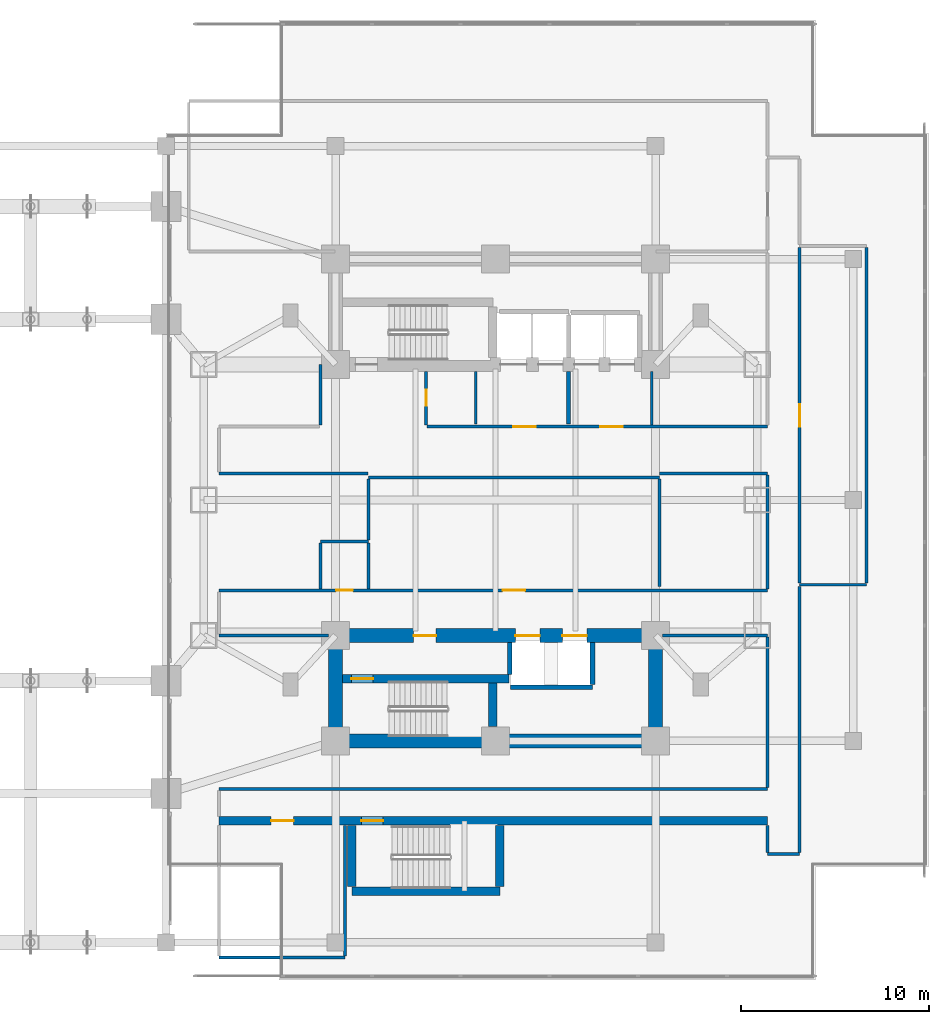
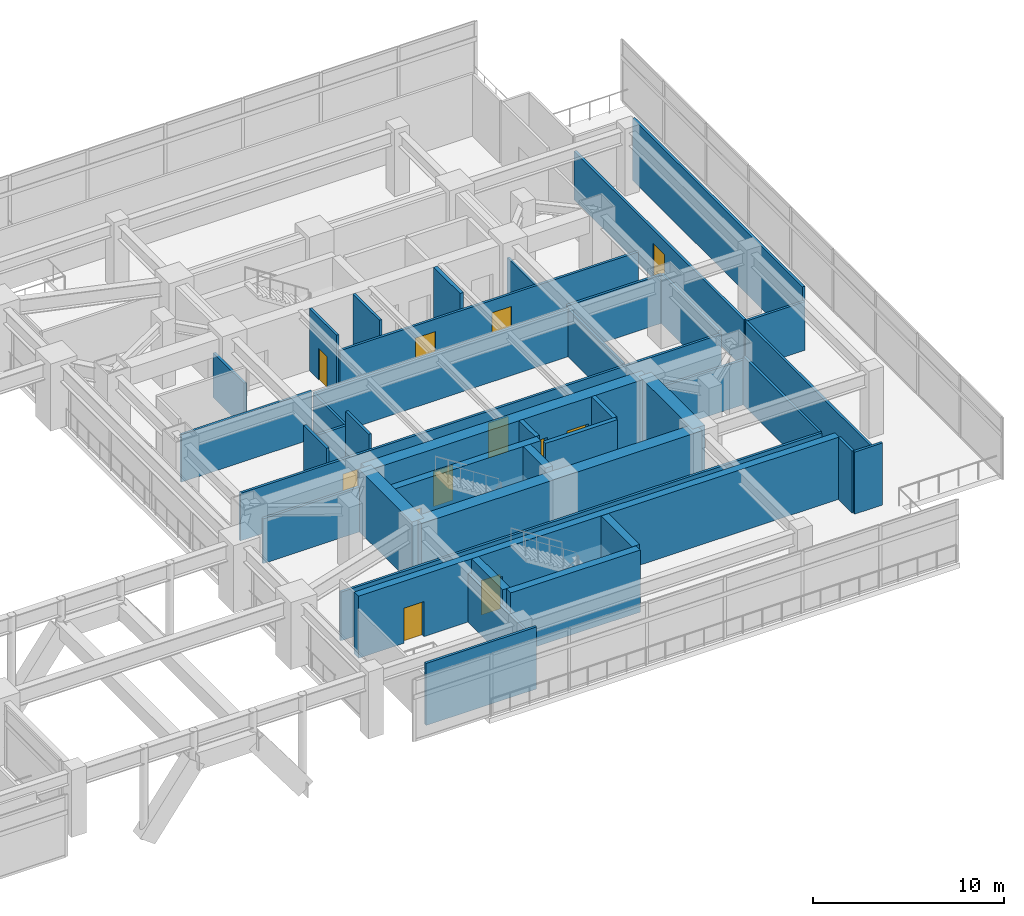
# One storey, part 17 of 30: 41 walls, 12 doors, 12 openings.
"""IFC4 building model written with IfcOpenShell, lengths in metres."""

from ifc_helpers import new_model, si_unit, direction, frame, frame_2d, origin, place, context, subcontext, project, spatial, rectangle, extrude, material, layer, layer_set, type_object, element, fill, save


model = new_model("IFC4")

# Units and contexts
model_context = context("Model", 3, precision=1e-05, world=origin(), true_north=direction((0.0, 1.0)))
body_context = subcontext(model_context, "Body", "Model", "MODEL_VIEW")
ifc_project = project(units=[si_unit("LENGTHUNIT", "METRE"), si_unit("AREAUNIT", "SQUARE_METRE"), si_unit("VOLUMEUNIT", "CUBIC_METRE"), si_unit("PLANEANGLEUNIT", "RADIAN"), si_unit("MASSUNIT", "GRAM", prefix="KILO")], contexts=[model_context])

# Site, building, storey
site_placement = place(None, origin())
site = spatial("IfcSite", under=ifc_project, at=site_placement, CompositionType="ELEMENT")
building_placement = place(site_placement, origin())
building = spatial("IfcBuilding", under=site, at=building_placement, Name="Mirazonda Arch Towers", CompositionType="ELEMENT")
storey_placement = place(building_placement, frame((0.0, 0.0, 9.5)))
storey = spatial("IfcBuildingStorey", under=building, at=storey_placement, Name="L02", CompositionType="ELEMENT", Elevation=9.5)

# Wall
ifc_material_1 = material(Name="Concrete C50/60", Category="concrete")
ifc_layer_1 = layer(ifc_material_1, 0.449951171875, Name="WALL-CORE-450")
ifc_layer_set_1 = layer_set([ifc_layer_1], Name="Concrete C50/60")
wall_type_1 = type_object("IfcWallType", Name="WALL-CORE-450", PredefinedType="SHEAR", material=ifc_layer_set_1)
wall_1_placement = place(storey_placement, frame((68.8701171875, 7.219970703125, 0.0), z_axis=(0.0, 0.0, 1.0), x_axis=(1.0, 0.0, 0.0)))
element("IfcWall", 1, at=wall_1_placement, inside=storey, type_object=wall_type_1, Name="L02 Stair Core Shear Wall 004", PredefinedType="SHEAR", context=body_context, shape_type="SweptSolid", body=[
    extrude(rectangle(XDim=7.85986328125, YDim=0.449951171875, at=frame_2d((3.929931640625, 0.0))), origin(), (0.0, 0.0, 1.0), 3.97998046875),
])

# Wall, openings, doors
wall_2_placement = place(storey_placement, frame((61.800048828125, 10.949951171875, 0.0), z_axis=(0.0, 0.0, 1.0), x_axis=(1.0, 0.0, 0.0)))
wall_2 = element("IfcWall", 2, at=wall_2_placement, inside=storey, type_object=wall_type_1, Name="L02 Stair Core Shear Wall 008", PredefinedType="SHEAR", context=body_context, shape_type="SweptSolid", body=[
    extrude(rectangle(XDim=29.14990234375, YDim=0.449951171875, at=frame_2d((14.574951171875, 0.0))), origin(), (0.0, 0.0, 1.0), 3.97998046875),
])
opening_1_placement = place(wall_2_placement, frame((7.570068359375, 0.0, 0.0)))
opening_1 = element("IfcOpeningElement", 3, at=opening_1_placement, cuts=wall_2, Name="Opening DR-135", PredefinedType="OPENING", context=body_context, shape_type="SweptSolid", body=[
    extrude(rectangle(XDim=1.14990234375, YDim=2.199951171875, at=frame_2d((0.574951171875, 1.10009765625))), frame((0.0, 0.23486328125, 0.0), z_axis=(0.0, -1.0, 0.0), x_axis=(1.0, 0.0, 0.0)), (0.0, 0.0, 1.0), 0.469970703125),
])
opening_2_placement = place(wall_2_placement, frame((2.77001953125, 0.0, 0.0)))
opening_2 = element("IfcOpeningElement", 4, at=opening_2_placement, cuts=wall_2, Name="Opening DR-117", PredefinedType="OPENING", context=body_context, shape_type="SweptSolid", body=[
    extrude(rectangle(XDim=1.199951171875, YDim=2.25, at=frame_2d((0.60009765625, 1.125))), frame((0.0, 0.23486328125, 0.0), z_axis=(0.0, -1.0, 0.0), x_axis=(1.0, 0.0, 0.0)), (0.0, 0.0, 1.0), 0.469970703125),
])
ifc_material_2 = material(Name="Architectural Brushed Steel S355", Category="steel")
door_type_1 = type_object("IfcDoorType", Name="DOOR-FFL-FD90-1200", OperationType="NOTDEFINED", PredefinedType="DOOR", material=ifc_material_2)
door_1_placement = place(opening_2_placement, origin())
door_1 = element("IfcDoor", 5, at=door_1_placement, inside=storey, type_object=door_type_1, Name="L02 L02 South Dining Terrace Room Door", OperationType="SINGLE_SWING_LEFT", OverallHeight=2.25, OverallWidth=1.199951171875, PredefinedType="DOOR", context=body_context, shape_type="SweptSolid", body=[
    extrude(rectangle(XDim=1.199951171875, YDim=2.25, at=frame_2d((0.60009765625, 1.125))), frame((0.0, 0.02490234375, 0.0), z_axis=(0.0, -1.0, 0.0), x_axis=(1.0, 0.0, 0.0)), (0.0, 0.0, 1.0), 0.050048828125),
])
fill(opening_2, door_1)
door_type_2 = type_object("IfcDoorType", Name="DOOR-STAIR-FD90-1150", OperationType="NOTDEFINED", PredefinedType="DOOR", material=ifc_material_2)
door_2_placement = place(opening_1_placement, origin())
door_2 = element("IfcDoor", 6, at=door_2_placement, inside=storey, type_object=door_type_2, Name="L02 Protected Podium Stair East Door", OperationType="SINGLE_SWING_RIGHT", OverallHeight=2.199951171875, OverallWidth=1.14990234375, PredefinedType="DOOR", context=body_context, shape_type="SweptSolid", body=[
    extrude(rectangle(XDim=1.14990234375, YDim=2.199951171875, at=frame_2d((0.574951171875, 1.10009765625))), frame((0.0, 0.02490234375, 0.0), z_axis=(0.0, -1.0, 0.0), x_axis=(1.0, 0.0, 0.0)), (0.0, 0.0, 1.0), 0.050048828125),
])
fill(opening_1, door_2)

# Wall, opening, door
wall_3_placement = place(storey_placement, frame((68.3701171875, 18.5, 0.0), z_axis=(0.0, 0.0, 1.0), x_axis=(1.0, 0.0, 0.0)))
wall_3 = element("IfcWall", 7, at=wall_3_placement, inside=storey, type_object=wall_type_1, Name="L02 Stair Core Shear Wall 019", PredefinedType="SHEAR", context=body_context, shape_type="SweptSolid", body=[
    extrude(rectangle(XDim=8.849853515625, YDim=0.449951171875, at=frame_2d((4.4248046875, 0.0))), origin(), (0.0, 0.0, 1.0), 3.97998046875),
])
opening_3_placement = place(wall_3_placement, frame((0.469970703125, 0.0, 0.0)))
opening_3 = element("IfcOpeningElement", 8, at=opening_3_placement, cuts=wall_3, Name="Opening DR-135", PredefinedType="OPENING", context=body_context, shape_type="SweptSolid", body=[
    extrude(rectangle(XDim=1.14990234375, YDim=2.199951171875, at=frame_2d((0.574951171875, 1.10009765625))), frame((0.0, 0.23486328125, 0.0), z_axis=(0.0, -1.0, 0.0), x_axis=(1.0, 0.0, 0.0)), (0.0, 0.0, 1.0), 0.469970703125),
])
door_3_placement = place(opening_3_placement, origin())
door_3 = element("IfcDoor", 9, at=door_3_placement, inside=storey, type_object=door_type_2, Name="L02 East Protected Stair South Door", OperationType="SINGLE_SWING_LEFT", OverallHeight=2.199951171875, OverallWidth=1.14990234375, PredefinedType="DOOR", context=body_context, shape_type="SweptSolid", body=[
    extrude(rectangle(XDim=1.14990234375, YDim=2.199951171875, at=frame_2d((0.574951171875, 1.10009765625))), frame((0.0, 0.02490234375, 0.0), z_axis=(0.0, -1.0, 0.0), x_axis=(1.0, 0.0, 0.0)), (0.0, 0.0, 1.0), 0.050048828125),
])
fill(opening_3, door_3)

# Walls
wall_4_placement = place(storey_placement, frame((68.8701171875, 7.455078125, 0.0), z_axis=(0.0, 0.0, 1.0), x_axis=(0.0, 1.0, 0.0)))
element("IfcWall", 10, at=wall_4_placement, inside=storey, type_object=wall_type_1, Name="L02 Stair Core Shear Wall 089", PredefinedType="SHEAR", context=body_context, shape_type="SweptSolid", body=[
    extrude(rectangle(XDim=3.260009765625, YDim=0.449951171875, at=frame_2d((1.6298828125, 0.0))), origin(), (0.0, 0.0, 1.0), 3.97998046875),
])
wall_5_placement = place(storey_placement, frame((76.360107421875, 15.965087890625, 0.0), z_axis=(0.0, 0.0, 1.0), x_axis=(0.0, 1.0, 0.0)))
element("IfcWall", 11, at=wall_5_placement, inside=storey, type_object=wall_type_1, Name="L02 Stair Core Shear Wall 094", PredefinedType="SHEAR", context=body_context, shape_type="SweptSolid", body=[
    extrude(rectangle(XDim=2.2998046875, YDim=0.449951171875, at=frame_2d((1.14990234375, 0.0))), origin(), (0.0, 0.0, 1.0), 3.97998046875),
])
wall_6_placement = place(storey_placement, frame((76.72998046875, 7.455078125, 0.0), z_axis=(0.0, 0.0, 1.0), x_axis=(0.0, 1.0, 0.0)))
element("IfcWall", 12, at=wall_6_placement, inside=storey, type_object=wall_type_1, Name="L02 Stair Core Shear Wall 096", PredefinedType="SHEAR", context=body_context, shape_type="SweptSolid", body=[
    extrude(rectangle(XDim=3.260009765625, YDim=0.449951171875, at=frame_2d((1.6298828125, 0.0))), origin(), (0.0, 0.0, 1.0), 3.97998046875),
])
ifc_material_3 = material(Name="Concrete C60/75", Category="concrete")
ifc_layer_2 = layer(ifc_material_3, 0.75, Name="WALL-CORE-750")
ifc_layer_set_2 = layer_set([ifc_layer_2], Name="Concrete C60/75")
wall_type_2 = type_object("IfcWallType", Name="WALL-CORE-750", PredefinedType="SHEAR", material=ifc_layer_set_2)
wall_7_placement = place(storey_placement, frame((68.0, 15.199951171875, 0.0), z_axis=(0.0, 0.0, 1.0), x_axis=(1.0, 0.0, 0.0)))
element("IfcWall", 13, at=wall_7_placement, inside=storey, type_object=wall_type_2, Name="L02 T2S-S Core Shear Wall", PredefinedType="SHEAR", context=body_context, shape_type="SweptSolid", body=[
    extrude(rectangle(XDim=17.0, YDim=0.75, at=frame_2d((8.5, 0.0))), origin(), (0.0, 0.0, 1.0), 3.97998046875),
])
for number, where, z_axis, x_axis, name in (
    (14, (68.0, 15.199951171875, 0.0), (0.0, 0.0, 1.0), (0.0, 1.0, 0.0), "L02 T2S-W Core Shear Wall"),
    (15, (85.0, 15.199951171875, 0.0), (0.0, 0.0, 1.0), (0.0, 1.0, 0.0), "L02 T2S-E Core Shear Wall"),
):
    element("IfcWall", number, at=place(storey_placement, frame(where, z_axis=z_axis, x_axis=x_axis)), inside=storey, type_object=wall_type_2, Name=name, PredefinedType="SHEAR", context=body_context, shape_type="SweptSolid", body=[
        extrude(rectangle(XDim=5.60009765625, YDim=0.75, at=frame_2d((2.800048828125, 0.0))), origin(), (0.0, 0.0, 1.0), 3.97998046875),
    ])

# Wall, openings, doors
wall_8_placement = place(storey_placement, frame((68.0, 20.800048828125, 0.0), z_axis=(0.0, 0.0, 1.0), x_axis=(1.0, 0.0, 0.0)))
wall_8 = element("IfcWall", 16, at=wall_8_placement, inside=storey, type_object=wall_type_2, Name="L02 T2S-N Core Shear Wall", PredefinedType="SHEAR", context=body_context, shape_type="SweptSolid", body=[
    extrude(rectangle(XDim=17.0, YDim=0.75, at=frame_2d((8.5, 0.0))), origin(), (0.0, 0.0, 1.0), 3.97998046875),
])
opening_4_placement = place(wall_8_placement, frame((4.14501953125, 0.0, 0.0)))
opening_4 = element("IfcOpeningElement", 17, at=opening_4_placement, cuts=wall_8, Name="Opening DR-117", PredefinedType="OPENING", context=body_context, shape_type="SweptSolid", body=[
    extrude(rectangle(XDim=1.199951171875, YDim=2.25, at=frame_2d((0.60009765625, 1.125))), frame((0.0, 0.385009765625, 0.0), z_axis=(0.0, -1.0, 0.0), x_axis=(1.0, 0.0, 0.0)), (0.0, 0.0, 1.0), 0.77001953125),
])
opening_5_placement = place(wall_8_placement, frame((9.550048828125, 0.0, 0.0)))
opening_5 = element("IfcOpeningElement", 18, at=opening_5_placement, cuts=wall_8, Name="Opening LD-111", PredefinedType="OPENING", context=body_context, shape_type="SweptSolid", body=[
    extrude(rectangle(XDim=1.300048828125, YDim=2.300048828125, at=frame_2d((0.64990234375, 1.14990234375))), frame((0.0, 0.385009765625, 0.0), z_axis=(0.0, -1.0, 0.0), x_axis=(1.0, 0.0, 0.0)), (0.0, 0.0, 1.0), 0.77001953125),
])
opening_6_placement = place(wall_8_placement, frame((12.050048828125, 0.0, 0.0)))
opening_6 = element("IfcOpeningElement", 19, at=opening_6_placement, cuts=wall_8, Name="Opening LD-111", PredefinedType="OPENING", context=body_context, shape_type="SweptSolid", body=[
    extrude(rectangle(XDim=1.300048828125, YDim=2.300048828125, at=frame_2d((0.64990234375, 1.14990234375))), frame((0.0, 0.385009765625, 0.0), z_axis=(0.0, -1.0, 0.0), x_axis=(1.0, 0.0, 0.0)), (0.0, 0.0, 1.0), 0.77001953125),
])
door_4_placement = place(opening_4_placement, origin())
door_4 = element("IfcDoor", 20, at=door_4_placement, inside=storey, type_object=door_type_1, Name="L02 East South Stair & Lift Lobby Door", OperationType="SINGLE_SWING_RIGHT", OverallHeight=2.25, OverallWidth=1.199951171875, PredefinedType="DOOR", context=body_context, shape_type="SweptSolid", body=[
    extrude(rectangle(XDim=1.199951171875, YDim=2.25, at=frame_2d((0.60009765625, 1.125))), frame((0.0, 0.02490234375, 0.0), z_axis=(0.0, -1.0, 0.0), x_axis=(1.0, 0.0, 0.0)), (0.0, 0.0, 1.0), 0.050048828125),
])
fill(opening_4, door_4)
door_type_3 = type_object("IfcDoorType", Name="DOOR-LIFT-LAND-1300", OperationType="NOTDEFINED", PredefinedType="DOOR", material=ifc_material_2)
door_5_placement = place(opening_5_placement, origin())
door_5 = element("IfcDoor", 21, at=door_5_placement, inside=storey, type_object=door_type_3, Name="L02 Lift Landing Sliding Door PL-T2H1", OperationType="DOUBLE_DOOR_SLIDING", OverallHeight=2.300048828125, OverallWidth=1.300048828125, PredefinedType="DOOR", context=body_context, shape_type="SweptSolid", body=[
    extrude(rectangle(XDim=1.300048828125, YDim=2.300048828125, at=frame_2d((0.64990234375, 1.14990234375))), frame((0.0, 0.02490234375, 0.0), z_axis=(0.0, -1.0, 0.0), x_axis=(1.0, 0.0, 0.0)), (0.0, 0.0, 1.0), 0.050048828125),
])
fill(opening_5, door_5)
door_6_placement = place(opening_6_placement, origin())
door_6 = element("IfcDoor", 22, at=door_6_placement, inside=storey, type_object=door_type_3, Name="L02 Lift Landing Sliding Door PL-T2H2", OperationType="DOUBLE_DOOR_SLIDING", OverallHeight=2.300048828125, OverallWidth=1.300048828125, PredefinedType="DOOR", context=body_context, shape_type="SweptSolid", body=[
    extrude(rectangle(XDim=1.300048828125, YDim=2.300048828125, at=frame_2d((0.64990234375, 1.14990234375))), frame((0.0, 0.02490234375, 0.0), z_axis=(0.0, -1.0, 0.0), x_axis=(1.0, 0.0, 0.0)), (0.0, 0.0, 1.0), 0.050048828125),
])
fill(opening_6, door_6)

# Walls
ifc_material_4 = material(Name="Concrete C40/50", Category="concrete")
ifc_layer_3 = layer(ifc_material_4, 0.219970703125, Name="WALL-FFL-220")
ifc_layer_set_3 = layer_set([ifc_layer_3], Name="Concrete C40/50")
wall_type_3 = type_object("IfcWallType", Name="WALL-FFL-220", PredefinedType="SOLIDWALL", material=ifc_layer_set_3)
wall_9_placement = place(storey_placement, frame((80.3798828125, 32.050048828125, 0.0), z_axis=(0.0, 0.0, 1.0), x_axis=(0.0, 1.0, 0.0)))
element("IfcWall", 23, at=wall_9_placement, inside=storey, type_object=wall_type_3, Name="L02 Interior Partition 098", PredefinedType="SOLIDWALL", context=body_context, shape_type="SweptSolid", body=[
    extrude(rectangle(XDim=2.780029296875, YDim=0.219970703125, at=frame_2d((1.39013671875, 0.0))), origin(), (0.0, 0.0, 1.0), 3.97998046875),
])
ifc_material_5 = material(Name="Fire-Rated Gypsum Stud Partition")
ifc_layer_4 = layer(ifc_material_5, 0.14990234375, Name="WALL-PART-CORR-150")
ifc_layer_set_4 = layer_set([ifc_layer_4], Name="Fire-Rated Gypsum Stud Partition")
wall_type_4 = type_object("IfcWallType", Name="WALL-PART-CORR-150", PredefinedType="PARTITIONING", material=ifc_layer_set_4)
wall_10_placement = place(storey_placement, frame((61.800048828125, 3.699951171875, 0.0), z_axis=(0.0, 0.0, 1.0), x_axis=(1.0, 0.0, 0.0)))
element("IfcWall", 24, at=wall_10_placement, inside=storey, type_object=wall_type_4, Name="L02 Interior Partition 002", PredefinedType="PARTITIONING", context=body_context, shape_type="SweptSolid", body=[
    extrude(rectangle(XDim=6.699951171875, YDim=0.14990234375, at=frame_2d((3.35009765625, 0.0))), origin(), (0.0, 0.0, 1.0), 3.97998046875),
])
wall_11_placement = place(storey_placement, frame((90.949951171875, 9.199951171875, 0.0), z_axis=(0.0, 0.0, 1.0), x_axis=(1.0, 0.0, 0.0)))
element("IfcWall", 25, at=wall_11_placement, inside=storey, type_object=wall_type_4, Name="L02 Interior Partition 006", PredefinedType="PARTITIONING", context=body_context, shape_type="SweptSolid", body=[
    extrude(rectangle(XDim=1.699951171875, YDim=0.14990234375, at=frame_2d((0.85009765625, 0.0))), origin(), (0.0, 0.0, 1.0), 3.97998046875),
])
wall_12_placement = place(storey_placement, frame((61.800048828125, 12.64990234375, 0.0), z_axis=(0.0, 0.0, 1.0), x_axis=(1.0, 0.0, 0.0)))
element("IfcWall", 26, at=wall_12_placement, inside=storey, type_object=wall_type_4, Name="L02 Interior Partition 011", PredefinedType="PARTITIONING", context=body_context, shape_type="SweptSolid", body=[
    extrude(rectangle(XDim=29.14990234375, YDim=0.14990234375, at=frame_2d((14.574951171875, 0.0))), origin(), (0.0, 0.0, 1.0), 3.115966796875),
])
wall_13_placement = place(storey_placement, frame((61.800048828125, 20.800048828125, 0.0), z_axis=(0.0, 0.0, 1.0), x_axis=(1.0, 0.0, 0.0)))
element("IfcWall", 27, at=wall_13_placement, inside=storey, type_object=wall_type_4, Name="L02 Interior Partition 021", PredefinedType="PARTITIONING", context=body_context, shape_type="SweptSolid", body=[
    extrude(rectangle(XDim=5.829833984375, YDim=0.14990234375, at=frame_2d((2.9150390625, 0.0))), origin(), (0.0, 0.0, 1.0), 2.8720703125),
])
wall_14_placement = place(storey_placement, frame((85.3701171875, 20.800048828125, 0.0), z_axis=(0.0, 0.0, 1.0), x_axis=(1.0, 0.0, 0.0)))
element("IfcWall", 28, at=wall_14_placement, inside=storey, type_object=wall_type_4, Name="L02 Interior Partition 022", PredefinedType="PARTITIONING", context=body_context, shape_type="SweptSolid", body=[
    extrude(rectangle(XDim=5.579833984375, YDim=0.14990234375, at=frame_2d((2.7900390625, 0.0))), origin(), (0.0, 0.0, 1.0), 2.8720703125),
])

# Wall, openings, doors
wall_15_placement = place(storey_placement, frame((61.800048828125, 23.199951171875, 0.0), z_axis=(0.0, 0.0, 1.0), x_axis=(1.0, 0.0, 0.0)))
wall_15 = element("IfcWall", 29, at=wall_15_placement, inside=storey, type_object=wall_type_4, Name="L02 Interior Partition 023", PredefinedType="PARTITIONING", context=body_context, shape_type="SweptSolid", body=[
    extrude(rectangle(XDim=29.14990234375, YDim=0.14990234375, at=frame_2d((14.574951171875, 0.0))), origin(), (0.0, 0.0, 1.0), 3.044921875),
])
opening_7_placement = place(wall_15_placement, frame((6.22509765625, 0.0, 0.0)))
opening_7 = element("IfcOpeningElement", 30, at=opening_7_placement, cuts=wall_15, Name="Opening DR-120", PredefinedType="OPENING", context=body_context, shape_type="SweptSolid", body=[
    extrude(rectangle(XDim=0.89990234375, YDim=2.10009765625, at=frame_2d((0.449951171875, 1.050048828125))), frame((0.0, 0.0849609375, 0.0), z_axis=(0.0, -1.0, 0.0), x_axis=(1.0, 0.0, 0.0)), (0.0, 0.0, 1.0), 0.169921875),
])
opening_8_placement = place(wall_15_placement, frame((15.074951171875, 0.0, 0.0)))
opening_8 = element("IfcOpeningElement", 31, at=opening_8_placement, cuts=wall_15, Name="Opening DR-117", PredefinedType="OPENING", context=body_context, shape_type="SweptSolid", body=[
    extrude(rectangle(XDim=1.199951171875, YDim=2.25, at=frame_2d((0.60009765625, 1.125))), frame((0.0, 0.0849609375, 0.0), z_axis=(0.0, -1.0, 0.0), x_axis=(1.0, 0.0, 0.0)), (0.0, 0.0, 1.0), 0.169921875),
])
door_7_placement = place(opening_8_placement, origin())
door_7 = element("IfcDoor", 32, at=door_7_placement, inside=storey, type_object=door_type_1, Name="L02 L02 East Grand Ballroom & Banquet Pavilion Door", OperationType="SINGLE_SWING_RIGHT", OverallHeight=2.25, OverallWidth=1.199951171875, PredefinedType="DOOR", context=body_context, shape_type="SweptSolid", body=[
    extrude(rectangle(XDim=1.199951171875, YDim=2.25, at=frame_2d((0.60009765625, 1.125))), frame((0.0, 0.02490234375, 0.0), z_axis=(0.0, -1.0, 0.0), x_axis=(1.0, 0.0, 0.0)), (0.0, 0.0, 1.0), 0.050048828125),
])
fill(opening_8, door_7)
door_type_4 = type_object("IfcDoorType", Name="DOOR-WC-900", OperationType="NOTDEFINED", PredefinedType="DOOR", material=ifc_material_2)
door_8_placement = place(opening_7_placement, origin())
door_8 = element("IfcDoor", 33, at=door_8_placement, inside=storey, type_object=door_type_4, Name="L02 Tower 2 Podium Accessible WC Door", OperationType="SINGLE_SWING_RIGHT", OverallHeight=2.10009765625, OverallWidth=0.89990234375, PredefinedType="DOOR", context=body_context, shape_type="SweptSolid", body=[
    extrude(rectangle(XDim=0.89990234375, YDim=2.10009765625, at=frame_2d((0.449951171875, 1.050048828125))), frame((0.0, 0.02490234375, 0.0), z_axis=(0.0, -1.0, 0.0), x_axis=(1.0, 0.0, 0.0)), (0.0, 0.0, 1.0), 0.050048828125),
])
fill(opening_7, door_8)

# Walls
wall_16_placement = place(storey_placement, frame((92.64990234375, 23.5, 0.0), z_axis=(0.0, 0.0, 1.0), x_axis=(1.0, 0.0, 0.0)))
element("IfcWall", 34, at=wall_16_placement, inside=storey, type_object=wall_type_4, Name="L02 Interior Partition 025", PredefinedType="PARTITIONING", context=body_context, shape_type="SweptSolid", body=[
    extrude(rectangle(XDim=3.550048828125, YDim=0.14990234375, at=frame_2d((1.77490234375, 0.0))), origin(), (0.0, 0.0, 1.0), 3.115966796875),
])
wall_17_placement = place(storey_placement, frame((67.199951171875, 25.800048828125, 0.0), z_axis=(0.0, 0.0, 1.0), x_axis=(1.0, 0.0, 0.0)))
element("IfcWall", 35, at=wall_17_placement, inside=storey, type_object=wall_type_4, Name="L02 Interior Partition 026", PredefinedType="PARTITIONING", context=body_context, shape_type="SweptSolid", body=[
    extrude(rectangle(XDim=2.550048828125, YDim=0.14990234375, at=frame_2d((1.27490234375, 0.0))), origin(), (0.0, 0.0, 1.0), 3.044921875),
])
wall_18_placement = place(storey_placement, frame((69.75, 29.199951171875, 0.0), z_axis=(0.0, 0.0, 1.0), x_axis=(1.0, 0.0, 0.0)))
element("IfcWall", 36, at=wall_18_placement, inside=storey, type_object=wall_type_4, Name="L02 Interior Partition 027", PredefinedType="PARTITIONING", context=body_context, shape_type="SweptSolid", body=[
    extrude(rectangle(XDim=15.449951171875, YDim=0.14990234375, at=frame_2d((7.72509765625, 0.0))), origin(), (0.0, 0.0, 1.0), 3.044921875),
])
wall_19_placement = place(storey_placement, frame((61.800048828125, 29.39990234375, 0.0), z_axis=(0.0, 0.0, 1.0), x_axis=(1.0, 0.0, 0.0)))
element("IfcWall", 37, at=wall_19_placement, inside=storey, type_object=wall_type_4, Name="L02 Interior Partition 028", PredefinedType="PARTITIONING", context=body_context, shape_type="SweptSolid", body=[
    extrude(rectangle(XDim=7.929931640625, YDim=0.14990234375, at=frame_2d((3.96484375, 0.0))), origin(), (0.0, 0.0, 1.0), 3.044921875),
])
wall_20_placement = place(storey_placement, frame((85.219970703125, 29.39990234375, 0.0), z_axis=(0.0, 0.0, 1.0), x_axis=(1.0, 0.0, 0.0)))
element("IfcWall", 38, at=wall_20_placement, inside=storey, type_object=wall_type_4, Name="L02 Interior Partition 029", PredefinedType="PARTITIONING", context=body_context, shape_type="SweptSolid", body=[
    extrude(rectangle(XDim=5.72998046875, YDim=0.14990234375, at=frame_2d((2.864990234375, 0.0))), origin(), (0.0, 0.0, 1.0), 3.115966796875),
])

# Wall, openings, doors
wall_21_placement = place(storey_placement, frame((72.85009765625, 31.89990234375, 0.0), z_axis=(0.0, 0.0, 1.0), x_axis=(1.0, 0.0, 0.0)))
wall_21 = element("IfcWall", 39, at=wall_21_placement, inside=storey, type_object=wall_type_4, Name="L02 Interior Partition 034", PredefinedType="PARTITIONING", context=body_context, shape_type="SweptSolid", body=[
    extrude(rectangle(XDim=18.099853515625, YDim=0.14990234375, at=frame_2d((9.0498046875, 0.0))), origin(), (0.0, 0.0, 1.0), 3.044921875),
])
opening_9_placement = place(wall_21_placement, frame((9.2099609375, 0.0, 0.0)))
opening_9 = element("IfcOpeningElement", 40, at=opening_9_placement, cuts=wall_21, Name="Opening DR-117", PredefinedType="OPENING", context=body_context, shape_type="SweptSolid", body=[
    extrude(rectangle(XDim=1.199951171875, YDim=2.25, at=frame_2d((0.60009765625, 1.125))), frame((0.0, 0.0849609375, 0.0), z_axis=(0.0, -1.0, 0.0), x_axis=(1.0, 0.0, 0.0)), (0.0, 0.0, 1.0), 0.169921875),
])
opening_10_placement = place(wall_21_placement, frame((4.590087890625, 0.0, 0.0)))
opening_10 = element("IfcOpeningElement", 41, at=opening_10_placement, cuts=wall_21, Name="Opening DR-117", PredefinedType="OPENING", context=body_context, shape_type="SweptSolid", body=[
    extrude(rectangle(XDim=1.199951171875, YDim=2.25, at=frame_2d((0.60009765625, 1.125))), frame((0.0, 0.0849609375, 0.0), z_axis=(0.0, -1.0, 0.0), x_axis=(1.0, 0.0, 0.0)), (0.0, 0.0, 1.0), 0.169921875),
])
door_9_placement = place(opening_9_placement, origin())
door_9 = element("IfcDoor", 42, at=door_9_placement, inside=storey, type_object=door_type_1, Name="L02 East Passenger Lift Lobby Door", OperationType="SINGLE_SWING_RIGHT", OverallHeight=2.25, OverallWidth=1.199951171875, PredefinedType="DOOR", context=body_context, shape_type="SweptSolid", body=[
    extrude(rectangle(XDim=1.199951171875, YDim=2.25, at=frame_2d((0.60009765625, 1.125))), frame((0.0, 0.02490234375, 0.0), z_axis=(0.0, -1.0, 0.0), x_axis=(1.0, 0.0, 0.0)), (0.0, 0.0, 1.0), 0.050048828125),
])
fill(opening_9, door_9)
door_10_placement = place(opening_10_placement, origin())
door_10 = element("IfcDoor", 43, at=door_10_placement, inside=storey, type_object=door_type_1, Name="L02 East Firefighting Lift Lobby Door", OperationType="SINGLE_SWING_RIGHT", OverallHeight=2.25, OverallWidth=1.199951171875, PredefinedType="DOOR", context=body_context, shape_type="SweptSolid", body=[
    extrude(rectangle(XDim=1.199951171875, YDim=2.25, at=frame_2d((0.60009765625, 1.125))), frame((0.0, 0.02490234375, 0.0), z_axis=(0.0, -1.0, 0.0), x_axis=(1.0, 0.0, 0.0)), (0.0, 0.0, 1.0), 0.050048828125),
])
fill(opening_10, door_10)

# Walls
wall_22_placement = place(storey_placement, frame((67.199951171875, 23.284912109375, 0.0), z_axis=(0.0, 0.0, 1.0), x_axis=(0.0, 1.0, 0.0)))
element("IfcWall", 44, at=wall_22_placement, inside=storey, type_object=wall_type_4, Name="L02 Interior Partition 086", PredefinedType="PARTITIONING", context=body_context, shape_type="SweptSolid", body=[
    extrude(rectangle(XDim=2.43017578125, YDim=0.14990234375, at=frame_2d((1.215087890625, 0.0))), origin(), (0.0, 0.0, 1.0), 3.97998046875),
])
wall_23_placement = place(storey_placement, frame((67.199951171875, 31.985107421875, 0.0), z_axis=(0.0, 0.0, 1.0), x_axis=(0.0, 1.0, 0.0)))
element("IfcWall", 45, at=wall_23_placement, inside=storey, type_object=wall_type_4, Name="L02 Interior Partition 087", PredefinedType="PARTITIONING", context=body_context, shape_type="SweptSolid", body=[
    extrude(rectangle(XDim=3.21484375, YDim=0.14990234375, at=frame_2d((1.607421875, 0.0))), origin(), (0.0, 0.0, 1.0), 2.8720703125),
])
wall_24_placement = place(storey_placement, frame((68.5, 3.784912109375, 0.0), z_axis=(0.0, 0.0, 1.0), x_axis=(0.0, 1.0, 0.0)))
element("IfcWall", 46, at=wall_24_placement, inside=storey, type_object=wall_type_4, Name="L02 Interior Partition 088", PredefinedType="PARTITIONING", context=body_context, shape_type="SweptSolid", body=[
    extrude(rectangle(XDim=6.93017578125, YDim=0.14990234375, at=frame_2d((3.465087890625, 0.0))), origin(), (0.0, 0.0, 1.0), 3.115966796875),
])
wall_25_placement = place(storey_placement, frame((69.75, 23.284912109375, 0.0), z_axis=(0.0, 0.0, 1.0), x_axis=(0.0, 1.0, 0.0)))
element("IfcWall", 47, at=wall_25_placement, inside=storey, type_object=wall_type_4, Name="L02 Interior Partition 090", PredefinedType="PARTITIONING", context=body_context, shape_type="SweptSolid", body=[
    extrude(rectangle(XDim=2.43017578125, YDim=0.14990234375, at=frame_2d((1.215087890625, 0.0))), origin(), (0.0, 0.0, 1.0), 3.97998046875),
])
wall_26_placement = place(storey_placement, frame((69.75, 25.885009765625, 0.0), z_axis=(0.0, 0.0, 1.0), x_axis=(0.0, 1.0, 0.0)))
element("IfcWall", 48, at=wall_26_placement, inside=storey, type_object=wall_type_4, Name="L02 Interior Partition 091", PredefinedType="PARTITIONING", context=body_context, shape_type="SweptSolid", body=[
    extrude(rectangle(XDim=3.22998046875, YDim=0.14990234375, at=frame_2d((1.614990234375, 0.0))), origin(), (0.0, 0.0, 1.0), 3.044921875),
])

# Wall, opening, door
wall_27_placement = place(storey_placement, frame((72.81005859375, 31.985107421875, 0.0), z_axis=(0.0, 0.0, 1.0), x_axis=(0.0, 1.0, 0.0)))
wall_27 = element("IfcWall", 49, at=wall_27_placement, inside=storey, type_object=wall_type_4, Name="L02 Interior Partition 092", PredefinedType="PARTITIONING", context=body_context, shape_type="SweptSolid", body=[
    extrude(rectangle(XDim=2.844970703125, YDim=0.14990234375, at=frame_2d((1.42236328125, 0.0))), origin(), (0.0, 0.0, 1.0), 3.97998046875),
])
opening_11_placement = place(wall_27_placement, frame((1.010009765625, 0.0, 0.0)))
opening_11 = element("IfcOpeningElement", 50, at=opening_11_placement, cuts=wall_27, Name="Opening DR-128", PredefinedType="OPENING", context=body_context, shape_type="SweptSolid", body=[
    extrude(rectangle(XDim=0.85009765625, YDim=2.010009765625, at=frame_2d((0.425048828125, 1.0048828125))), frame((0.0, 0.0849609375, 0.0), z_axis=(0.0, -1.0, 0.0), x_axis=(1.0, 0.0, 0.0)), (0.0, 0.0, 1.0), 0.169921875),
])
door_type_5 = type_object("IfcDoorType", Name="DOOR-RISER-FD60-850", OperationType="NOTDEFINED", PredefinedType="DOOR", material=ifc_material_2)
door_11_placement = place(opening_11_placement, origin())
door_11 = element("IfcDoor", 51, at=door_11_placement, inside=storey, type_object=door_type_5, Name="L02 Tower 2 Core Service Room Door", OperationType="SINGLE_SWING_LEFT", OverallHeight=2.010009765625, OverallWidth=0.85009765625, PredefinedType="DOOR", context=body_context, shape_type="SweptSolid", body=[
    extrude(rectangle(XDim=0.85009765625, YDim=2.010009765625, at=frame_2d((0.425048828125, 1.0048828125))), frame((0.0, 0.02490234375, 0.0), z_axis=(0.0, -1.0, 0.0), x_axis=(1.0, 0.0, 0.0)), (0.0, 0.0, 1.0), 0.050048828125),
])
fill(opening_11, door_11)

# Walls
wall_28_placement = place(storey_placement, frame((75.449951171875, 32.050048828125, 0.0), z_axis=(0.0, 0.0, 1.0), x_axis=(0.0, 1.0, 0.0)))
element("IfcWall", 52, at=wall_28_placement, inside=storey, type_object=wall_type_4, Name="L02 Interior Partition 093", PredefinedType="PARTITIONING", context=body_context, shape_type="SweptSolid", body=[
    extrude(rectangle(XDim=2.780029296875, YDim=0.14990234375, at=frame_2d((1.39013671875, 0.0))), origin(), (0.0, 0.0, 1.0), 3.97998046875),
])
wall_29_placement = place(storey_placement, frame((84.800048828125, 31.985107421875, 0.0), z_axis=(0.0, 0.0, 1.0), x_axis=(0.0, 1.0, 0.0)))
element("IfcWall", 53, at=wall_29_placement, inside=storey, type_object=wall_type_4, Name="L02 Interior Partition 102", PredefinedType="PARTITIONING", context=body_context, shape_type="SweptSolid", body=[
    extrude(rectangle(XDim=2.844970703125, YDim=0.14990234375, at=frame_2d((1.42236328125, 0.0))), origin(), (0.0, 0.0, 1.0), 3.044921875),
])
wall_30_placement = place(storey_placement, frame((85.199951171875, 23.39990234375, 0.0), z_axis=(0.0, 0.0, 1.0), x_axis=(0.0, 1.0, 0.0)))
element("IfcWall", 54, at=wall_30_placement, inside=storey, type_object=wall_type_4, Name="L02 Interior Partition 103", PredefinedType="PARTITIONING", context=body_context, shape_type="SweptSolid", body=[
    extrude(rectangle(XDim=5.715087890625, YDim=0.14990234375, at=frame_2d((2.857421875, 0.0))), origin(), (0.0, 0.0, 1.0), 3.044921875),
])
wall_31_placement = place(storey_placement, frame((90.949951171875, 9.284912109375, 0.0), z_axis=(0.0, 0.0, 1.0), x_axis=(0.0, 1.0, 0.0)))
element("IfcWall", 55, at=wall_31_placement, inside=storey, type_object=wall_type_4, Name="L02 Interior Partition 104", PredefinedType="PARTITIONING", context=body_context, shape_type="SweptSolid", body=[
    extrude(rectangle(XDim=1.43017578125, YDim=0.14990234375, at=frame_2d((0.715087890625, 0.0))), origin(), (0.0, 0.0, 1.0), 3.97998046875),
])
wall_32_placement = place(storey_placement, frame((90.949951171875, 12.735107421875, 0.0), z_axis=(0.0, 0.0, 1.0), x_axis=(0.0, 1.0, 0.0)))
element("IfcWall", 56, at=wall_32_placement, inside=storey, type_object=wall_type_4, Name="L02 Interior Partition 105", PredefinedType="PARTITIONING", context=body_context, shape_type="SweptSolid", body=[
    extrude(rectangle(XDim=7.97998046875, YDim=0.14990234375, at=frame_2d((3.989990234375, 0.0))), origin(), (0.0, 0.0, 1.0), 3.115966796875),
])
wall_33_placement = place(storey_placement, frame((90.949951171875, 23.284912109375, 0.0), z_axis=(0.0, 0.0, 1.0), x_axis=(0.0, 1.0, 0.0)))
element("IfcWall", 57, at=wall_33_placement, inside=storey, type_object=wall_type_4, Name="L02 Interior Partition 106", PredefinedType="PARTITIONING", context=body_context, shape_type="SweptSolid", body=[
    extrude(rectangle(XDim=6.030029296875, YDim=0.14990234375, at=frame_2d((3.01513671875, 0.0))), origin(), (0.0, 0.0, 1.0), 3.198974609375),
])
wall_34_placement = place(storey_placement, frame((92.64990234375, 9.284912109375, 0.0), z_axis=(0.0, 0.0, 1.0), x_axis=(0.0, 1.0, 0.0)))
element("IfcWall", 58, at=wall_34_placement, inside=storey, type_object=wall_type_4, Name="L02 Interior Partition 110", PredefinedType="PARTITIONING", context=body_context, shape_type="SweptSolid", body=[
    extrude(rectangle(XDim=14.130126953125, YDim=0.14990234375, at=frame_2d((7.06494140625, 0.0))), origin(), (0.0, 0.0, 1.0), 3.115966796875),
])

# Wall, opening, door
wall_35_placement = place(storey_placement, frame((92.64990234375, 23.5849609375, 0.0), z_axis=(0.0, 0.0, 1.0), x_axis=(0.0, 1.0, 0.0)))
wall_35 = element("IfcWall", 59, at=wall_35_placement, inside=storey, type_object=wall_type_4, Name="L02 Interior Partition 111", PredefinedType="PARTITIONING", context=body_context, shape_type="SweptSolid", body=[
    extrude(rectangle(XDim=17.830078125, YDim=0.14990234375, at=frame_2d((8.9150390625, 0.0))), origin(), (0.0, 0.0, 1.0), 3.115966796875),
])
opening_12_placement = place(wall_35_placement, frame((8.31494140625, 0.0, 0.0)))
opening_12 = element("IfcOpeningElement", 60, at=opening_12_placement, cuts=wall_35, Name="Opening DR-117", PredefinedType="OPENING", context=body_context, shape_type="SweptSolid", body=[
    extrude(rectangle(XDim=1.199951171875, YDim=2.25, at=frame_2d((0.60009765625, 1.125))), frame((0.0, 0.0849609375, 0.0), z_axis=(0.0, -1.0, 0.0), x_axis=(1.0, 0.0, 0.0)), (0.0, 0.0, 1.0), 0.169921875),
])
door_12_placement = place(opening_12_placement, origin())
door_12 = element("IfcDoor", 61, at=door_12_placement, inside=storey, type_object=door_type_1, Name="L02 L02 Banquet Finishing Kitchen Door", OperationType="SINGLE_SWING_RIGHT", OverallHeight=2.25, OverallWidth=1.199951171875, PredefinedType="DOOR", context=body_context, shape_type="SweptSolid", body=[
    extrude(rectangle(XDim=1.199951171875, YDim=2.25, at=frame_2d((0.60009765625, 1.125))), frame((0.0, 0.02490234375, 0.0), z_axis=(0.0, -1.0, 0.0), x_axis=(1.0, 0.0, 0.0)), (0.0, 0.0, 1.0), 0.050048828125),
])
fill(opening_12, door_12)

# Walls
wall_36_placement = place(storey_placement, frame((96.199951171875, 23.5849609375, 0.0), z_axis=(0.0, 0.0, 1.0), x_axis=(0.0, 1.0, 0.0)))
element("IfcWall", 62, at=wall_36_placement, inside=storey, type_object=wall_type_4, Name="L02 Interior Partition 113", PredefinedType="PARTITIONING", context=body_context, shape_type="SweptSolid", body=[
    extrude(rectangle(XDim=17.830078125, YDim=0.14990234375, at=frame_2d((8.9150390625, 0.0))), origin(), (0.0, 0.0, 1.0), 3.97998046875),
])
ifc_layer_5 = layer(ifc_material_4, 0.25, Name="WALL-SHAFT-250")
ifc_layer_set_5 = layer_set([ifc_layer_5], Name="Concrete C40/50")
wall_type_5 = type_object("IfcWallType", Name="WALL-SHAFT-250", PredefinedType="SOLIDWALL", material=ifc_layer_set_5)
wall_37_placement = place(storey_placement, frame((77.300048828125, 18.050048828125, 0.0), z_axis=(0.0, 0.0, 1.0), x_axis=(1.0, 0.0, 0.0)))
element("IfcWall", 63, at=wall_37_placement, inside=storey, type_object=wall_type_5, Name="L02 Interior Partition 016", PredefinedType="SOLIDWALL", context=body_context, shape_type="SweptSolid", body=[
    extrude(rectangle(XDim=4.349853515625, YDim=0.25, at=frame_2d((2.1748046875, 0.0))), origin(), (0.0, 0.0, 1.0), 3.97998046875),
])
wall_38_placement = place(storey_placement, frame((77.260009765625, 18.735107421875, 0.0), z_axis=(0.0, 0.0, 1.0), x_axis=(0.0, 1.0, 0.0)))
element("IfcWall", 64, at=wall_38_placement, inside=storey, type_object=wall_type_5, Name="L02 Interior Partition 097", PredefinedType="SOLIDWALL", context=body_context, shape_type="SweptSolid", body=[
    extrude(rectangle(XDim=1.69482421875, YDim=0.25, at=frame_2d((0.847412109375, 0.0))), origin(), (0.0, 0.0, 1.0), 3.97998046875),
])
wall_39_placement = place(storey_placement, frame((81.64990234375, 18.18505859375, 0.0), z_axis=(0.0, 0.0, 1.0), x_axis=(0.0, 1.0, 0.0)))
element("IfcWall", 65, at=wall_39_placement, inside=storey, type_object=wall_type_5, Name="L02 Interior Partition 100", PredefinedType="SOLIDWALL", context=body_context, shape_type="SweptSolid", body=[
    extrude(rectangle(XDim=2.244873046875, YDim=0.25, at=frame_2d((1.12255859375, 0.0))), origin(), (0.0, 0.0, 1.0), 3.97998046875),
])

save(model, "model.ifc")
